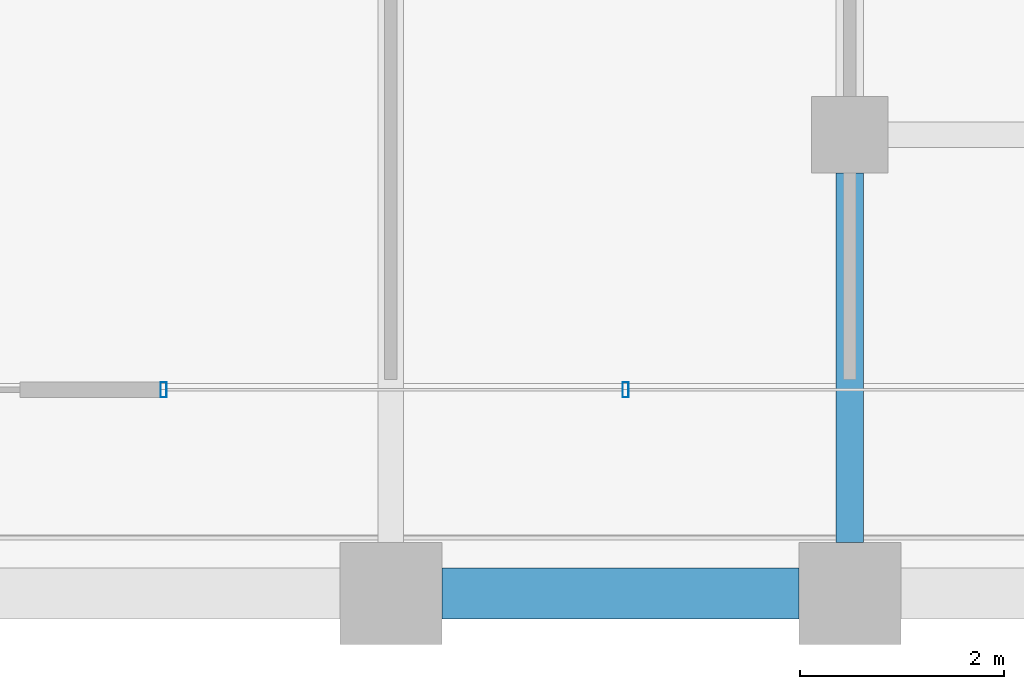
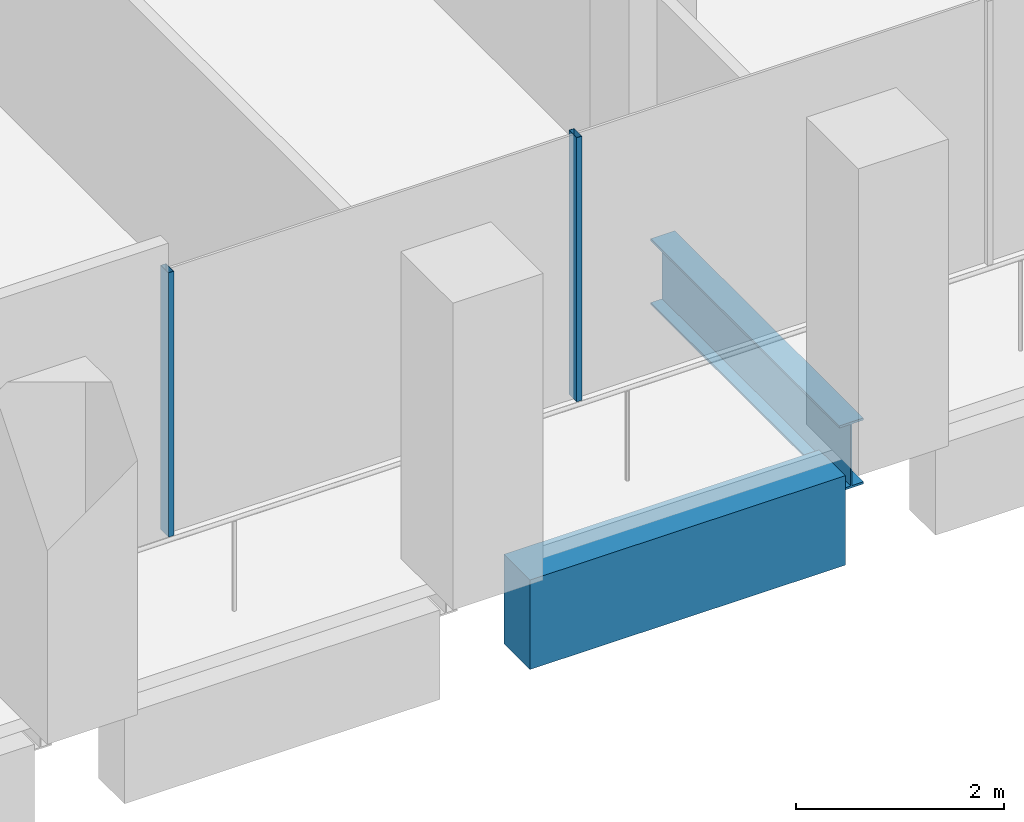
# One storey, part 9 of 46: 2 beams, 2 members, 1 element without a shape of its own.
"""IFC4 building model written with IfcOpenShell, lengths in metres."""

from ifc_helpers import new_model, si_unit, direction, frame, origin, origin_2d, place, context, subcontext, project, spatial, rectangle, hollow_rectangle, i_section, extrude, material, material_profile, profile_set, type_object, element, aggregate, save


model = new_model("IFC4")

# Units and contexts
model_context = context("Model", 3, precision=1e-05, world=origin(), true_north=direction((0.0, 1.0)))
body_context = subcontext(model_context, "Body", "Model", "MODEL_VIEW")
ifc_project = project(units=[si_unit("LENGTHUNIT", "METRE"), si_unit("AREAUNIT", "SQUARE_METRE"), si_unit("VOLUMEUNIT", "CUBIC_METRE"), si_unit("PLANEANGLEUNIT", "RADIAN"), si_unit("MASSUNIT", "GRAM", prefix="KILO")], contexts=[model_context])

# Site, building, storey
site_placement = place(None, origin())
site = spatial("IfcSite", under=ifc_project, at=site_placement, CompositionType="ELEMENT")
building_placement = place(site_placement, origin())
building = spatial("IfcBuilding", under=site, at=building_placement, Name="Altepetl Exchange Towers", CompositionType="ELEMENT")
storey_placement = place(building_placement, frame((0.0, 0.0, 124.39990234375)))
storey = spatial("IfcBuildingStorey", under=building, at=storey_placement, Name="L30", CompositionType="ELEMENT", Elevation=124.39990234375)

# Beam
ifc_material_1 = material(Name="Steel S355", Category="steel")
ifc_material_profile_1 = material_profile(ifc_material_1, i_section(OverallWidth=0.26806640625, OverallDepth=0.77392578125, WebThickness=0.015380859375, FlangeThickness=0.025390625, at=origin_2d()), Name="W30X132")
ifc_profile_set_1 = profile_set([ifc_material_profile_1], Name="Steel S355")
beam_type_1 = type_object("IfcBeamType", Name="Girder W30X132", PredefinedType="BEAM", material=ifc_profile_set_1)
beam_1_placement = place(storey_placement, frame((58.5, 31.125, -0.536865234375), z_axis=(0.0, -1.0, 0.0), x_axis=(1.0, 0.0, 0.0)))
element("IfcBeam", 1, at=beam_1_placement, inside=storey, type_object=beam_type_1, Name="gd:A:L30:005", PredefinedType="BEAM", context=body_context, shape_type="SweptSolid", body=[
    extrude(i_section(OverallWidth=0.26806640625, OverallDepth=0.77392578125, WebThickness=0.015380859375, FlangeThickness=0.025390625, at=origin_2d()), origin(), (0.0, 0.0, 1.0), 3.625),
])

# Curtain wall, members
ifc_material_2 = material(Name="Aluminium 6063-T6 glazing", Category="aluminium")
curtain_wall_type = type_object("IfcCurtainWallType", Name="Loggia glazing system", PredefinedType="NOTDEFINED", material=ifc_material_2)
curtain_wall_placement = place(storey_placement, origin())
curtain_wall = element("IfcCurtainWall", 2, at=curtain_wall_placement, inside=storey, type_object=curtain_wall_type, Name="CW1 run", PredefinedType="NOTDEFINED")
ifc_material_3 = material(Name="Aluminium 6063-T6", Category="aluminium")
ifc_material_profile_2 = material_profile(ifc_material_3, hollow_rectangle(XDim=0.06005859375, YDim=0.14990234375, WallThickness=0.0029296875, at=origin_2d()), Name="Mullion 60x150 aluminium")
ifc_profile_set_2 = profile_set([ifc_material_profile_2], Name="Aluminium 6063-T6")
member_type = type_object("IfcMemberType", Name="Mullion 60x150 aluminium", PredefinedType="MULLION", material=ifc_profile_set_2)
member_1_placement = place(storey_placement, frame((51.77294921875, 29.0, 0.0)))
member_1 = element("IfcMember", 3, at=member_1_placement, type_object=member_type, Name="MU1 mullion", PredefinedType="MULLION", context=body_context, shape_type="SweptSolid", body=[
    extrude(hollow_rectangle(XDim=0.06005859375, YDim=0.14990234375, WallThickness=0.0029296875, at=origin_2d()), origin(), (0.0, 0.0, 1.0), 3.10009765625),
])
member_2_placement = place(storey_placement, frame((56.303466796875, 29.0, 0.0)))
member_2 = element("IfcMember", 4, at=member_2_placement, type_object=member_type, Name="MU1 mullion", PredefinedType="MULLION", context=body_context, shape_type="SweptSolid", body=[
    extrude(hollow_rectangle(XDim=0.06005859375, YDim=0.14990234375, WallThickness=0.0029296875, at=origin_2d()), origin(), (0.0, 0.0, 1.0), 3.10009765625),
])
aggregate(curtain_wall, [member_1, member_2])

# Beam
ifc_material_4 = material(Name="Concrete C50/60 precast with cantera blanca facing", Category="concrete")
ifc_material_profile_3 = material_profile(ifc_material_4, rectangle(XDim=0.5, YDim=1.050048828125, at=origin_2d()), Name="500 x 1050")
ifc_profile_set_3 = profile_set([ifc_material_profile_3], Name="Concrete C50/60 precast with cantera blanca facing")
beam_type_2 = type_object("IfcBeamType", Name="Spandrel beam 500x1050 cantera blanca", PredefinedType="SPANDREL", material=ifc_profile_set_3)
beam_2_placement = place(storey_placement, frame((54.5, 27.0, -0.6748046875), z_axis=(1.0, 0.0, 0.0), x_axis=(0.0, 1.0, 0.0)))
element("IfcBeam", 5, at=beam_2_placement, inside=storey, type_object=beam_type_2, Name="sp:A:L30:005", PredefinedType="SPANDREL", context=body_context, shape_type="SweptSolid", body=[
    extrude(rectangle(XDim=0.5, YDim=1.050048828125, at=origin_2d()), origin(), (0.0, 0.0, 1.0), 3.5),
])

save(model, "model.ifc")
